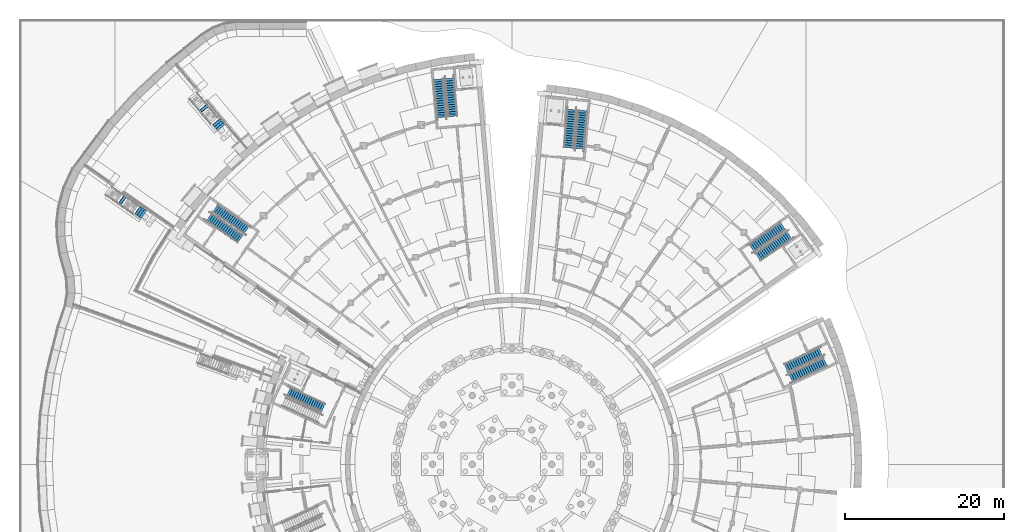
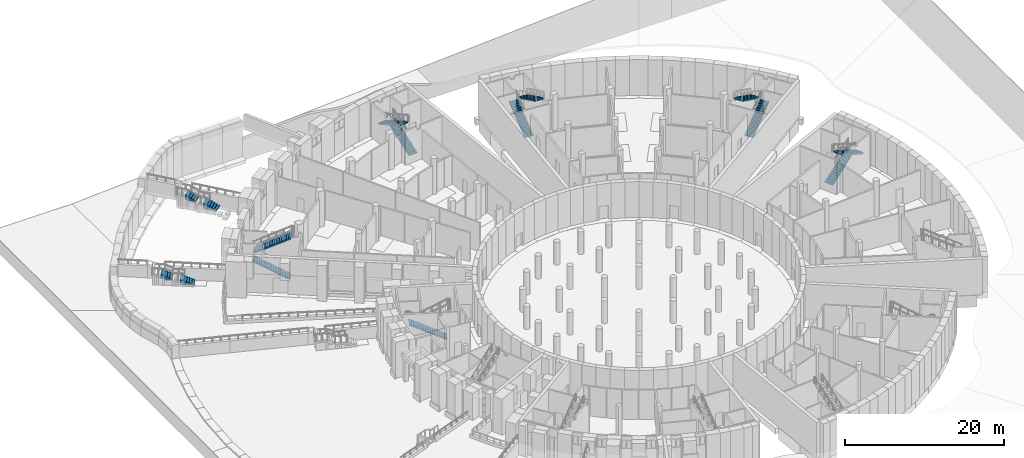
# One storey, part 50 of 65: 15 stair flights, 8 elements without a shape of their own.
"""IFC4 building model written with IfcOpenShell, lengths in metres."""

from ifc_helpers import new_model, si_unit, direction, frame, origin, place, context, subcontext, project, spatial, polyline, outline, extrude, material, type_object, element, aggregate, save


model = new_model("IFC4")

# Units and contexts
model_context = context("Model", 3, precision=1e-05, world=origin(), true_north=direction((0.0, 1.0)))
body_context = subcontext(model_context, "Body", "Model", "MODEL_VIEW")
ifc_project = project(units=[si_unit("LENGTHUNIT", "METRE"), si_unit("AREAUNIT", "SQUARE_METRE"), si_unit("VOLUMEUNIT", "CUBIC_METRE"), si_unit("PLANEANGLEUNIT", "RADIAN"), si_unit("MASSUNIT", "GRAM", prefix="KILO")], contexts=[model_context])

# Site, building, storey
site_placement = place(None, origin())
site = spatial("IfcSite", under=ifc_project, at=site_placement, CompositionType="ELEMENT")
building_placement = place(site_placement, origin())
building = spatial("IfcBuilding", under=site, at=building_placement, Name="Volute Hill Aquarium", CompositionType="ELEMENT")
storey_placement = place(building_placement, frame((0.0, 0.0, -5.5)))
storey = spatial("IfcBuildingStorey", under=building, at=storey_placement, Name="L00", CompositionType="ELEMENT", Elevation=-5.5)

# Stair, stair flights
ifc_material_1 = material(Name="Concrete C30/37", Category="concrete")
stair_type_1 = type_object("IfcStairType", Name="Outdoor stair", PredefinedType="STRAIGHT_RUN_STAIR", material=ifc_material_1)
stair_1_placement = place(storey_placement, origin())
stair_1 = element("IfcStair", 1, at=stair_1_placement, inside=storey, type_object=stair_type_1, Name="Outdoor stair 145", PredefinedType="STRAIGHT_RUN_STAIR")
ifc_material_2 = material(Name="Concrete C30/37", Category="concrete")
stair_flight_type_1 = type_object("IfcStairFlightType", Name="Outdoor stair flight C30/37", PredefinedType="STRAIGHT", material=ifc_material_2)
stair_flight_1_placement = place(storey_placement, frame((-46.331298828125, 31.465087890625, 1.375), z_axis=(0.0, 0.0, 1.0), x_axis=(-0.819238364082, 0.573453139164, 0.0)))
stair_flight_1 = element("IfcStairFlight", 2, at=stair_flight_1_placement, type_object=stair_flight_type_1, Name="Outdoor stair 145 flight 1", PredefinedType="STRAIGHT", context=body_context, shape_type="SweptSolid", body=[
    extrude(outline(polyline([(0.0, 0.0), (1.780029296875, 0.0), (1.780029296875, 0.763916015625), (1.280029296875, 0.763916015625), (1.280029296875, 0.611083984375), (0.9599609375, 0.611083984375), (0.9599609375, 0.458251953125), (0.639892578125, 0.458251953125), (0.639892578125, 0.3056640625), (0.320068359375, 0.3056640625), (0.320068359375, 0.15283203125), (0.0, 0.15283203125), (0.0, 0.0), (0.0, 0.0)])), frame((0.0, 0.60009765625, 0.0), z_axis=(0.0, -1.0, 0.0), x_axis=(1.0, 0.0, 0.0)), (0.0, 0.0, 1.0), 1.199951171875),
])
stair_flight_2_placement = place(storey_placement, frame((-48.608642578125, 33.0595703125, 2.138916015625), z_axis=(0.0, 0.0, 1.0), x_axis=(-0.819176927213, 0.573540898212, 0.0)))
stair_flight_2 = element("IfcStairFlight", 3, at=stair_flight_2_placement, type_object=stair_flight_type_1, Name="Outdoor stair 145 flight 2", PredefinedType="STRAIGHT", context=body_context, shape_type="SweptSolid", body=[
    extrude(outline(polyline([(0.0, 0.0), (1.4599609375, 0.0), (1.4599609375, 0.611083984375), (0.9599609375, 0.611083984375), (0.9599609375, 0.458251953125), (0.639892578125, 0.458251953125), (0.639892578125, 0.305419921875), (0.320068359375, 0.305419921875), (0.320068359375, 0.15283203125), (0.0, 0.15283203125), (0.0, 0.0), (0.0, 0.0)])), frame((0.0, 0.60009765625, 0.0), z_axis=(0.0, -1.0, 0.0), x_axis=(1.0, 0.0, 0.0)), (0.0, 0.0, 1.0), 1.199951171875),
])
aggregate(stair_1, [stair_flight_1, stair_flight_2])

stair_2_placement = place(storey_placement, origin())
stair_2 = element("IfcStair", 4, at=stair_2_placement, inside=storey, type_object=stair_type_1, Name="Outdoor stair 130", PredefinedType="STRAIGHT_RUN_STAIR")
stair_flight_3_placement = place(storey_placement, frame((-36.60888671875, 42.38427734375, 2.75), z_axis=(0.0, 0.0, 1.0), x_axis=(-0.642838197892, 0.766001991728, 0.0)))
stair_flight_3 = element("IfcStairFlight", 5, at=stair_flight_3_placement, type_object=stair_flight_type_1, Name="Outdoor stair 130 flight 1", PredefinedType="STRAIGHT", context=body_context, shape_type="SweptSolid", body=[
    extrude(outline(polyline([(0.0, 0.0), (1.780029296875, 0.0), (1.780029296875, 0.763916015625), (1.280029296875, 0.763916015625), (1.280029296875, 0.611083984375), (0.9599609375, 0.611083984375), (0.9599609375, 0.458251953125), (0.639892578125, 0.458251953125), (0.639892578125, 0.3056640625), (0.320068359375, 0.3056640625), (0.320068359375, 0.15283203125), (0.0, 0.15283203125), (0.0, 0.0), (0.0, 0.0)])), frame((0.0, 0.60009765625, 0.0), z_axis=(0.0, -1.0, 0.0), x_axis=(1.0, 0.0, 0.0)), (0.0, 0.0, 1.0), 1.199951171875),
])
stair_flight_4_placement = place(storey_placement, frame((-38.39599609375, 44.513916015625, 3.513916015625), z_axis=(0.0, 0.0, 1.0), x_axis=(-0.642795910345, 0.766037477963, 0.0)))
stair_flight_4 = element("IfcStairFlight", 6, at=stair_flight_4_placement, type_object=stair_flight_type_1, Name="Outdoor stair 130 flight 2", PredefinedType="STRAIGHT", context=body_context, shape_type="SweptSolid", body=[
    extrude(outline(polyline([(0.0, 0.0), (1.4599609375, 0.0), (1.4599609375, 0.611083984375), (0.9599609375, 0.611083984375), (0.9599609375, 0.458251953125), (0.639892578125, 0.458251953125), (0.639892578125, 0.305419921875), (0.320068359375, 0.305419921875), (0.320068359375, 0.15283203125), (0.0, 0.15283203125), (0.0, 0.0), (0.0, 0.0)])), frame((0.0, 0.60009765625, 0.0), z_axis=(0.0, -1.0, 0.0), x_axis=(1.0, 0.0, 0.0)), (0.0, 0.0, 1.0), 1.199951171875),
])
aggregate(stair_2, [stair_flight_3, stair_flight_4])

# Stair, stair flight
ifc_material_3 = material(Name="Concrete C35/45", Category="concrete")
stair_type_2 = type_object("IfcStairType", Name="Stair C35/45", PredefinedType="HALF_TURN_STAIR", material=ifc_material_3)
stair_3_placement = place(storey_placement, origin())
stair_3 = element("IfcStair", 7, at=stair_3_placement, inside=storey, type_object=stair_type_2, Name="ST/S1-A/L00", PredefinedType="HALF_TURN_STAIR")
ifc_material_4 = material(Name="Concrete C35/45", Category="concrete")
stair_flight_type_2 = type_object("IfcStairFlightType", Name="Stair flight C35/45", PredefinedType="STRAIGHT", material=ifc_material_4)
stair_flight_5_placement = place(storey_placement, frame((-23.771240234375, 7.112548828125, 0.0), z_axis=(0.0, 0.0, 1.0), x_axis=(-0.906331248317, 0.422567945217, 0.0)))
stair_flight_5 = element("IfcStairFlight", 8, at=stair_flight_5_placement, type_object=stair_flight_type_2, Name="ST-S1-A-00 flight 1", NumberOfRisers=17, NumberOfTreads=16, PredefinedType="STRAIGHT", RiserHeight=0.161764706, TreadLength=0.3, context=body_context, shape_type="SweptSolid", body=[
    extrude(outline(polyline([(0.0, 0.0), (0.0, 0.161865234375), (0.300048828125, 0.161865234375), (0.300048828125, 0.323486328125), (0.60009765625, 0.323486328125), (0.60009765625, 0.4853515625), (0.89990234375, 0.4853515625), (0.89990234375, 0.64697265625), (1.199951171875, 0.64697265625), (1.199951171875, 0.808837890625), (1.5, 0.808837890625), (1.5, 0.970703125), (1.800048828125, 0.970703125), (1.800048828125, 1.13232421875), (2.10009765625, 1.13232421875), (2.10009765625, 1.294189453125), (2.39990234375, 1.294189453125), (2.39990234375, 1.455810546875), (2.699951171875, 1.455810546875), (2.699951171875, 1.61767578125), (3.0, 1.61767578125), (3.0, 1.779296875), (3.300048828125, 1.779296875), (3.300048828125, 1.941162109375), (3.60009765625, 1.941162109375), (3.60009765625, 2.10302734375), (3.89990234375, 2.10302734375), (3.89990234375, 2.2646484375), (4.199951171875, 2.2646484375), (4.199951171875, 2.426513671875), (4.5, 2.426513671875), (4.5, 2.588134765625), (4.800048828125, 2.588134765625), (4.800048828125, 2.75), (4.800048828125, 2.41796875), (0.31591796875, 0.0), (0.0, 0.0)])), frame((0.0, 0.60009765625, 0.0), z_axis=(0.0, -1.0, 0.0), x_axis=(1.0, 0.0, 0.0)), (0.0, 0.0, 1.0), 1.199951171875),
])
aggregate(stair_3, [stair_flight_5])

# Stair, stair flights
stair_4_placement = place(storey_placement, origin())
stair_4 = element("IfcStair", 9, at=stair_4_placement, inside=storey, type_object=stair_type_2, Name="ST/S4-B/L00", PredefinedType="HALF_TURN_STAIR")
stair_flight_6_placement = place(storey_placement, frame((34.510986328125, 12.12060546875, 0.0), z_axis=(0.0, 0.0, 1.0), x_axis=(0.906313390882, 0.422606244047, 0.0)))
stair_flight_6 = element("IfcStairFlight", 10, at=stair_flight_6_placement, type_object=stair_flight_type_2, Name="ST-S4-B-00 flight 1", NumberOfRisers=17, NumberOfTreads=16, PredefinedType="STRAIGHT", RiserHeight=0.161764706, TreadLength=0.3, context=body_context, shape_type="SweptSolid", body=[
    extrude(outline(polyline([(0.0, 0.0), (0.0, 0.161865234375), (0.300048828125, 0.161865234375), (0.300048828125, 0.323486328125), (0.60009765625, 0.323486328125), (0.60009765625, 0.4853515625), (0.89990234375, 0.4853515625), (0.89990234375, 0.64697265625), (1.199951171875, 0.64697265625), (1.199951171875, 0.808837890625), (1.5, 0.808837890625), (1.5, 0.970703125), (1.800048828125, 0.970703125), (1.800048828125, 1.13232421875), (2.10009765625, 1.13232421875), (2.10009765625, 1.294189453125), (2.39990234375, 1.294189453125), (2.39990234375, 1.455810546875), (2.699951171875, 1.455810546875), (2.699951171875, 1.61767578125), (3.0, 1.61767578125), (3.0, 1.779296875), (3.300048828125, 1.779296875), (3.300048828125, 1.941162109375), (3.60009765625, 1.941162109375), (3.60009765625, 2.10302734375), (3.89990234375, 2.10302734375), (3.89990234375, 2.2646484375), (4.199951171875, 2.2646484375), (4.199951171875, 2.426513671875), (4.5, 2.426513671875), (4.5, 2.588134765625), (4.800048828125, 2.588134765625), (4.800048828125, 2.75), (4.800048828125, 2.41796875), (0.31591796875, 0.0), (0.0, 0.0)])), frame((0.0, 0.60009765625, 0.0), z_axis=(0.0, -1.0, 0.0), x_axis=(1.0, 0.0, 0.0)), (0.0, 0.0, 1.0), 1.199951171875),
])
stair_flight_7_placement = place(storey_placement, frame((39.452880859375, 12.88037109375, 2.75), z_axis=(0.0, 0.0, 1.0), x_axis=(-0.906313390882, -0.422606244047, 0.0)))
stair_flight_7 = element("IfcStairFlight", 11, at=stair_flight_7_placement, type_object=stair_flight_type_2, Name="ST-S4-B-00 flight 2", NumberOfRisers=17, NumberOfTreads=16, PredefinedType="STRAIGHT", RiserHeight=0.161764706, TreadLength=0.3, context=body_context, shape_type="SweptSolid", body=[
    extrude(outline(polyline([(0.0, 0.0), (0.0, 0.161865234375), (0.300048828125, 0.161865234375), (0.300048828125, 0.323486328125), (0.60009765625, 0.323486328125), (0.60009765625, 0.4853515625), (0.89990234375, 0.4853515625), (0.89990234375, 0.64697265625), (1.199951171875, 0.64697265625), (1.199951171875, 0.808837890625), (1.5, 0.808837890625), (1.5, 0.970703125), (1.800048828125, 0.970703125), (1.800048828125, 1.13232421875), (2.10009765625, 1.13232421875), (2.10009765625, 1.294189453125), (2.39990234375, 1.294189453125), (2.39990234375, 1.455810546875), (2.699951171875, 1.455810546875), (2.699951171875, 1.61767578125), (3.0, 1.61767578125), (3.0, 1.779296875), (3.300048828125, 1.779296875), (3.300048828125, 1.941162109375), (3.60009765625, 1.941162109375), (3.60009765625, 2.10302734375), (3.89990234375, 2.10302734375), (3.89990234375, 2.2646484375), (4.199951171875, 2.2646484375), (4.199951171875, 2.426513671875), (4.5, 2.426513671875), (4.5, 2.588134765625), (4.800048828125, 2.588134765625), (4.800048828125, 2.75), (4.800048828125, 2.41796875), (0.31591796875, 0.0), (0.0, 0.0)])), frame((0.0, 0.60009765625, 0.0), z_axis=(0.0, -1.0, 0.0), x_axis=(1.0, 0.0, 0.0)), (0.0, 0.0, 1.0), 1.199951171875),
])
aggregate(stair_4, [stair_flight_6, stair_flight_7])

stair_5_placement = place(storey_placement, origin())
stair_5 = element("IfcStair", 12, at=stair_5_placement, inside=storey, type_object=stair_type_2, Name="ST/S5-A/L00", PredefinedType="HALF_TURN_STAIR")
stair_flight_8_placement = place(storey_placement, frame((30.98779296875, 26.0927734375, 0.0), z_axis=(0.0, 0.0, 1.0), x_axis=(0.81912384914, 0.573616701091, 0.0)))
stair_flight_8 = element("IfcStairFlight", 13, at=stair_flight_8_placement, type_object=stair_flight_type_2, Name="ST-S5-A-00 flight 1", NumberOfRisers=17, NumberOfTreads=16, PredefinedType="STRAIGHT", RiserHeight=0.161764706, TreadLength=0.3, context=body_context, shape_type="SweptSolid", body=[
    extrude(outline(polyline([(0.0, 0.0), (0.0, 0.161865234375), (0.300048828125, 0.161865234375), (0.300048828125, 0.323486328125), (0.60009765625, 0.323486328125), (0.60009765625, 0.4853515625), (0.89990234375, 0.4853515625), (0.89990234375, 0.64697265625), (1.199951171875, 0.64697265625), (1.199951171875, 0.808837890625), (1.5, 0.808837890625), (1.5, 0.970703125), (1.800048828125, 0.970703125), (1.800048828125, 1.13232421875), (2.10009765625, 1.13232421875), (2.10009765625, 1.294189453125), (2.39990234375, 1.294189453125), (2.39990234375, 1.455810546875), (2.699951171875, 1.455810546875), (2.699951171875, 1.61767578125), (3.0, 1.61767578125), (3.0, 1.779296875), (3.300048828125, 1.779296875), (3.300048828125, 1.941162109375), (3.60009765625, 1.941162109375), (3.60009765625, 2.10302734375), (3.89990234375, 2.10302734375), (3.89990234375, 2.2646484375), (4.199951171875, 2.2646484375), (4.199951171875, 2.426513671875), (4.5, 2.426513671875), (4.5, 2.588134765625), (4.800048828125, 2.588134765625), (4.800048828125, 2.75), (4.800048828125, 2.41796875), (0.31591796875, 0.0), (0.0, 0.0)])), frame((0.0, 0.60009765625, 0.0), z_axis=(0.0, -1.0, 0.0), x_axis=(1.0, 0.0, 0.0)), (0.0, 0.0, 1.0), 1.199951171875),
])
stair_flight_9_placement = place(storey_placement, frame((34.11669921875, 29.99267578125, 2.75), z_axis=(0.0, 0.0, 1.0), x_axis=(-0.81912384914, -0.573616701091, 0.0)))
stair_flight_9 = element("IfcStairFlight", 14, at=stair_flight_9_placement, type_object=stair_flight_type_2, Name="ST-S5-A-00 flight 2", NumberOfRisers=17, NumberOfTreads=16, PredefinedType="STRAIGHT", RiserHeight=0.161764706, TreadLength=0.3, context=body_context, shape_type="SweptSolid", body=[
    extrude(outline(polyline([(0.0, 0.0), (0.0, 0.161865234375), (0.300048828125, 0.161865234375), (0.300048828125, 0.323486328125), (0.60009765625, 0.323486328125), (0.60009765625, 0.4853515625), (0.89990234375, 0.4853515625), (0.89990234375, 0.64697265625), (1.199951171875, 0.64697265625), (1.199951171875, 0.808837890625), (1.5, 0.808837890625), (1.5, 0.970703125), (1.800048828125, 0.970703125), (1.800048828125, 1.13232421875), (2.10009765625, 1.13232421875), (2.10009765625, 1.294189453125), (2.39990234375, 1.294189453125), (2.39990234375, 1.455810546875), (2.699951171875, 1.455810546875), (2.699951171875, 1.61767578125), (3.0, 1.61767578125), (3.0, 1.779296875), (3.300048828125, 1.779296875), (3.300048828125, 1.941162109375), (3.60009765625, 1.941162109375), (3.60009765625, 2.10302734375), (3.89990234375, 2.10302734375), (3.89990234375, 2.2646484375), (4.199951171875, 2.2646484375), (4.199951171875, 2.426513671875), (4.5, 2.426513671875), (4.5, 2.588134765625), (4.800048828125, 2.588134765625), (4.800048828125, 2.75), (4.800048828125, 2.41796875), (0.31591796875, 0.0), (0.0, 0.0)])), frame((0.0, 0.60009765625, 0.0), z_axis=(0.0, -1.0, 0.0), x_axis=(1.0, 0.0, 0.0)), (0.0, 0.0, 1.0), 1.199951171875),
])
aggregate(stair_5, [stair_flight_8, stair_flight_9])

stair_6_placement = place(storey_placement, origin())
stair_6 = element("IfcStair", 15, at=stair_6_placement, inside=storey, type_object=stair_type_2, Name="ST/S5-B/L00", PredefinedType="HALF_TURN_STAIR")
stair_flight_10_placement = place(storey_placement, frame((7.10302734375, 39.8828125, 0.0), z_axis=(0.0, 0.0, 1.0), x_axis=(0.08710864073, 0.996198817862, 0.0)))
stair_flight_10 = element("IfcStairFlight", 16, at=stair_flight_10_placement, type_object=stair_flight_type_2, Name="ST-S5-B-00 flight 1", NumberOfRisers=17, NumberOfTreads=16, PredefinedType="STRAIGHT", RiserHeight=0.161764706, TreadLength=0.3, context=body_context, shape_type="SweptSolid", body=[
    extrude(outline(polyline([(0.0, 0.0), (0.0, 0.161865234375), (0.300048828125, 0.161865234375), (0.300048828125, 0.323486328125), (0.60009765625, 0.323486328125), (0.60009765625, 0.4853515625), (0.89990234375, 0.4853515625), (0.89990234375, 0.64697265625), (1.199951171875, 0.64697265625), (1.199951171875, 0.808837890625), (1.5, 0.808837890625), (1.5, 0.970703125), (1.800048828125, 0.970703125), (1.800048828125, 1.13232421875), (2.10009765625, 1.13232421875), (2.10009765625, 1.294189453125), (2.39990234375, 1.294189453125), (2.39990234375, 1.455810546875), (2.699951171875, 1.455810546875), (2.699951171875, 1.61767578125), (3.0, 1.61767578125), (3.0, 1.779296875), (3.300048828125, 1.779296875), (3.300048828125, 1.941162109375), (3.60009765625, 1.941162109375), (3.60009765625, 2.10302734375), (3.89990234375, 2.10302734375), (3.89990234375, 2.2646484375), (4.199951171875, 2.2646484375), (4.199951171875, 2.426513671875), (4.5, 2.426513671875), (4.5, 2.588134765625), (4.800048828125, 2.588134765625), (4.800048828125, 2.75), (4.800048828125, 2.41796875), (0.31591796875, 0.0), (0.0, 0.0)])), frame((0.0, 0.60009765625, 0.0), z_axis=(0.0, -1.0, 0.0), x_axis=(1.0, 0.0, 0.0)), (0.0, 0.0, 1.0), 1.199951171875),
])
stair_flight_11_placement = place(storey_placement, frame((8.916015625, 44.54248046875, 2.75), z_axis=(0.0, 0.0, 1.0), x_axis=(-0.08710864073, -0.996198817862, 0.0)))
stair_flight_11 = element("IfcStairFlight", 17, at=stair_flight_11_placement, type_object=stair_flight_type_2, Name="ST-S5-B-00 flight 2", NumberOfRisers=17, NumberOfTreads=16, PredefinedType="STRAIGHT", RiserHeight=0.161764706, TreadLength=0.3, context=body_context, shape_type="SweptSolid", body=[
    extrude(outline(polyline([(0.0, 0.0), (0.0, 0.161865234375), (0.300048828125, 0.161865234375), (0.300048828125, 0.323486328125), (0.60009765625, 0.323486328125), (0.60009765625, 0.4853515625), (0.89990234375, 0.4853515625), (0.89990234375, 0.64697265625), (1.199951171875, 0.64697265625), (1.199951171875, 0.808837890625), (1.5, 0.808837890625), (1.5, 0.970703125), (1.800048828125, 0.970703125), (1.800048828125, 1.13232421875), (2.10009765625, 1.13232421875), (2.10009765625, 1.294189453125), (2.39990234375, 1.294189453125), (2.39990234375, 1.455810546875), (2.699951171875, 1.455810546875), (2.699951171875, 1.61767578125), (3.0, 1.61767578125), (3.0, 1.779296875), (3.300048828125, 1.779296875), (3.300048828125, 1.941162109375), (3.60009765625, 1.941162109375), (3.60009765625, 2.10302734375), (3.89990234375, 2.10302734375), (3.89990234375, 2.2646484375), (4.199951171875, 2.2646484375), (4.199951171875, 2.426513671875), (4.5, 2.426513671875), (4.5, 2.588134765625), (4.800048828125, 2.588134765625), (4.800048828125, 2.75), (4.800048828125, 2.41796875), (0.31591796875, 0.0), (0.0, 0.0)])), frame((0.0, 0.60009765625, 0.0), z_axis=(0.0, -1.0, 0.0), x_axis=(1.0, 0.0, 0.0)), (0.0, 0.0, 1.0), 1.199951171875),
])
aggregate(stair_6, [stair_flight_10, stair_flight_11])

stair_7_placement = place(storey_placement, origin())
stair_7 = element("IfcStair", 18, at=stair_7_placement, inside=storey, type_object=stair_type_2, Name="ST/S6-A/L00", PredefinedType="HALF_TURN_STAIR")
stair_flight_12_placement = place(storey_placement, frame((-7.447265625, 43.817626953125, 0.0), z_axis=(0.0, 0.0, 1.0), x_axis=(-0.087199203008, 0.996190894856, 0.0)))
stair_flight_12 = element("IfcStairFlight", 19, at=stair_flight_12_placement, type_object=stair_flight_type_2, Name="ST-S6-A-00 flight 1", NumberOfRisers=17, NumberOfTreads=16, PredefinedType="STRAIGHT", RiserHeight=0.161764706, TreadLength=0.3, context=body_context, shape_type="SweptSolid", body=[
    extrude(outline(polyline([(0.0, 0.0), (0.0, 0.161865234375), (0.300048828125, 0.161865234375), (0.300048828125, 0.323486328125), (0.60009765625, 0.323486328125), (0.60009765625, 0.4853515625), (0.89990234375, 0.4853515625), (0.89990234375, 0.64697265625), (1.199951171875, 0.64697265625), (1.199951171875, 0.808837890625), (1.5, 0.808837890625), (1.5, 0.970703125), (1.800048828125, 0.970703125), (1.800048828125, 1.13232421875), (2.10009765625, 1.13232421875), (2.10009765625, 1.294189453125), (2.39990234375, 1.294189453125), (2.39990234375, 1.455810546875), (2.699951171875, 1.455810546875), (2.699951171875, 1.61767578125), (3.0, 1.61767578125), (3.0, 1.779296875), (3.300048828125, 1.779296875), (3.300048828125, 1.941162109375), (3.60009765625, 1.941162109375), (3.60009765625, 2.10302734375), (3.89990234375, 2.10302734375), (3.89990234375, 2.2646484375), (4.199951171875, 2.2646484375), (4.199951171875, 2.426513671875), (4.5, 2.426513671875), (4.5, 2.588134765625), (4.800048828125, 2.588134765625), (4.800048828125, 2.75), (4.800048828125, 2.41796875), (0.31591796875, 0.0), (0.0, 0.0)])), frame((0.0, 0.60009765625, 0.0), z_axis=(0.0, -1.0, 0.0), x_axis=(1.0, 0.0, 0.0)), (0.0, 0.0, 1.0), 1.199951171875),
])
stair_flight_13_placement = place(storey_placement, frame((-9.26025390625, 48.477294921875, 2.75), z_axis=(0.0, 0.0, 1.0), x_axis=(0.087199203008, -0.996190894856, 0.0)))
stair_flight_13 = element("IfcStairFlight", 20, at=stair_flight_13_placement, type_object=stair_flight_type_2, Name="ST-S6-A-00 flight 2", NumberOfRisers=17, NumberOfTreads=16, PredefinedType="STRAIGHT", RiserHeight=0.161764706, TreadLength=0.3, context=body_context, shape_type="SweptSolid", body=[
    extrude(outline(polyline([(0.0, 0.0), (0.0, 0.161865234375), (0.300048828125, 0.161865234375), (0.300048828125, 0.323486328125), (0.60009765625, 0.323486328125), (0.60009765625, 0.4853515625), (0.89990234375, 0.4853515625), (0.89990234375, 0.64697265625), (1.199951171875, 0.64697265625), (1.199951171875, 0.808837890625), (1.5, 0.808837890625), (1.5, 0.970703125), (1.800048828125, 0.970703125), (1.800048828125, 1.13232421875), (2.10009765625, 1.13232421875), (2.10009765625, 1.294189453125), (2.39990234375, 1.294189453125), (2.39990234375, 1.455810546875), (2.699951171875, 1.455810546875), (2.699951171875, 1.61767578125), (3.0, 1.61767578125), (3.0, 1.779296875), (3.300048828125, 1.779296875), (3.300048828125, 1.941162109375), (3.60009765625, 1.941162109375), (3.60009765625, 2.10302734375), (3.89990234375, 2.10302734375), (3.89990234375, 2.2646484375), (4.199951171875, 2.2646484375), (4.199951171875, 2.426513671875), (4.5, 2.426513671875), (4.5, 2.588134765625), (4.800048828125, 2.588134765625), (4.800048828125, 2.75), (4.800048828125, 2.41796875), (0.31591796875, 0.0), (0.0, 0.0)])), frame((0.0, 0.60009765625, 0.0), z_axis=(0.0, -1.0, 0.0), x_axis=(1.0, 0.0, 0.0)), (0.0, 0.0, 1.0), 1.199951171875),
])
aggregate(stair_7, [stair_flight_12, stair_flight_13])

stair_8_placement = place(storey_placement, origin())
stair_8 = element("IfcStair", 21, at=stair_8_placement, inside=storey, type_object=stair_type_2, Name="ST/S6-B/L00", PredefinedType="HALF_TURN_STAIR")
stair_flight_14_placement = place(storey_placement, frame((-34.2236328125, 28.3583984375, 0.0), z_axis=(0.0, 0.0, 1.0), x_axis=(-0.819203731484, 0.573502612306, 0.0)))
stair_flight_14 = element("IfcStairFlight", 22, at=stair_flight_14_placement, type_object=stair_flight_type_2, Name="ST-S6-B-00 flight 1", NumberOfRisers=17, NumberOfTreads=16, PredefinedType="STRAIGHT", RiserHeight=0.161764706, TreadLength=0.3, context=body_context, shape_type="SweptSolid", body=[
    extrude(outline(polyline([(0.0, 0.0), (0.0, 0.161865234375), (0.300048828125, 0.161865234375), (0.300048828125, 0.323486328125), (0.60009765625, 0.323486328125), (0.60009765625, 0.4853515625), (0.89990234375, 0.4853515625), (0.89990234375, 0.64697265625), (1.199951171875, 0.64697265625), (1.199951171875, 0.808837890625), (1.5, 0.808837890625), (1.5, 0.970703125), (1.800048828125, 0.970703125), (1.800048828125, 1.13232421875), (2.10009765625, 1.13232421875), (2.10009765625, 1.294189453125), (2.39990234375, 1.294189453125), (2.39990234375, 1.455810546875), (2.699951171875, 1.455810546875), (2.699951171875, 1.61767578125), (3.0, 1.61767578125), (3.0, 1.779296875), (3.300048828125, 1.779296875), (3.300048828125, 1.941162109375), (3.60009765625, 1.941162109375), (3.60009765625, 2.10302734375), (3.89990234375, 2.10302734375), (3.89990234375, 2.2646484375), (4.199951171875, 2.2646484375), (4.199951171875, 2.426513671875), (4.5, 2.426513671875), (4.5, 2.588134765625), (4.800048828125, 2.588134765625), (4.800048828125, 2.75), (4.800048828125, 2.41796875), (0.31591796875, 0.0), (0.0, 0.0)])), frame((0.0, 0.60009765625, 0.0), z_axis=(0.0, -1.0, 0.0), x_axis=(1.0, 0.0, 0.0)), (0.0, 0.0, 1.0), 1.199951171875),
])
stair_flight_15_placement = place(storey_placement, frame((-37.3525390625, 32.25830078125, 2.75), z_axis=(0.0, 0.0, 1.0), x_axis=(0.819203731484, -0.573502612306, 0.0)))
stair_flight_15 = element("IfcStairFlight", 23, at=stair_flight_15_placement, type_object=stair_flight_type_2, Name="ST-S6-B-00 flight 2", NumberOfRisers=17, NumberOfTreads=16, PredefinedType="STRAIGHT", RiserHeight=0.161764706, TreadLength=0.3, context=body_context, shape_type="SweptSolid", body=[
    extrude(outline(polyline([(0.0, 0.0), (0.0, 0.161865234375), (0.300048828125, 0.161865234375), (0.300048828125, 0.323486328125), (0.60009765625, 0.323486328125), (0.60009765625, 0.4853515625), (0.89990234375, 0.4853515625), (0.89990234375, 0.64697265625), (1.199951171875, 0.64697265625), (1.199951171875, 0.808837890625), (1.5, 0.808837890625), (1.5, 0.970703125), (1.800048828125, 0.970703125), (1.800048828125, 1.13232421875), (2.10009765625, 1.13232421875), (2.10009765625, 1.294189453125), (2.39990234375, 1.294189453125), (2.39990234375, 1.455810546875), (2.699951171875, 1.455810546875), (2.699951171875, 1.61767578125), (3.0, 1.61767578125), (3.0, 1.779296875), (3.300048828125, 1.779296875), (3.300048828125, 1.941162109375), (3.60009765625, 1.941162109375), (3.60009765625, 2.10302734375), (3.89990234375, 2.10302734375), (3.89990234375, 2.2646484375), (4.199951171875, 2.2646484375), (4.199951171875, 2.426513671875), (4.5, 2.426513671875), (4.5, 2.588134765625), (4.800048828125, 2.588134765625), (4.800048828125, 2.75), (4.800048828125, 2.41796875), (0.31591796875, 0.0), (0.0, 0.0)])), frame((0.0, 0.60009765625, 0.0), z_axis=(0.0, -1.0, 0.0), x_axis=(1.0, 0.0, 0.0)), (0.0, 0.0, 1.0), 1.199951171875),
])
aggregate(stair_8, [stair_flight_14, stair_flight_15])

save(model, "model.ifc")
